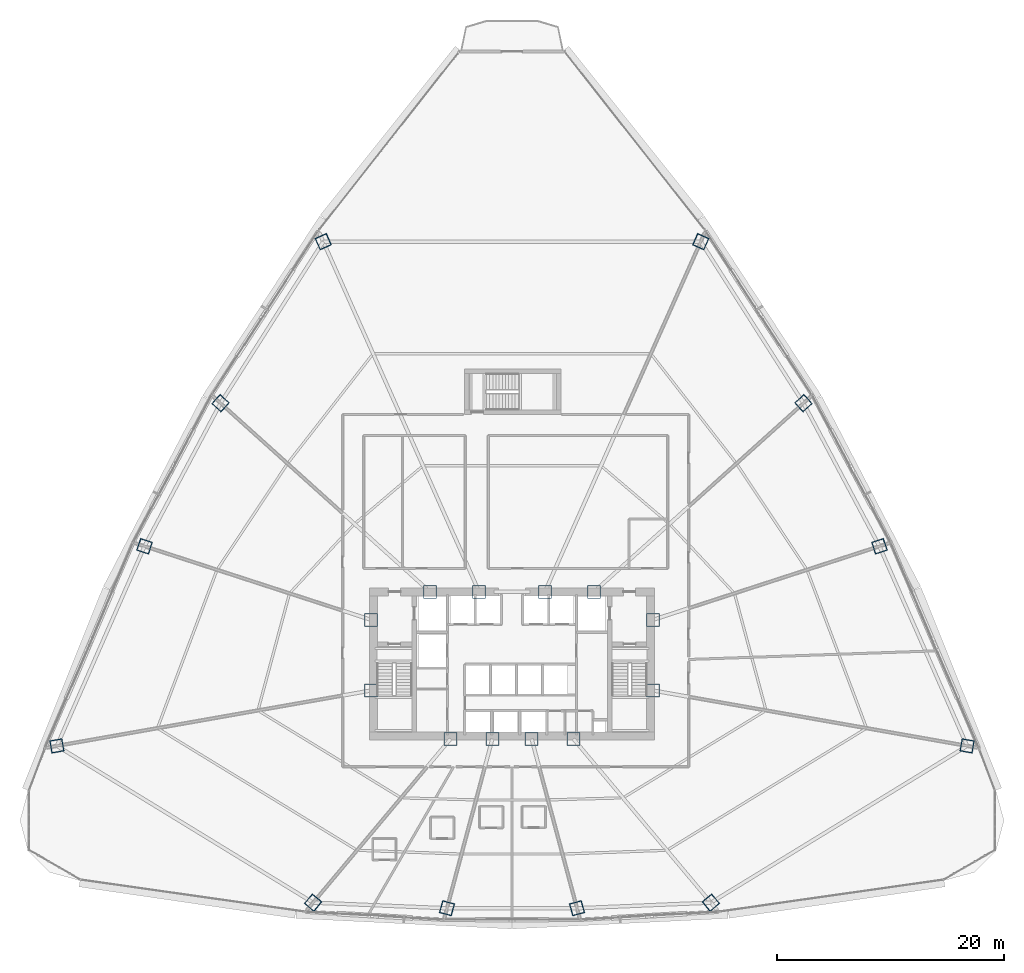
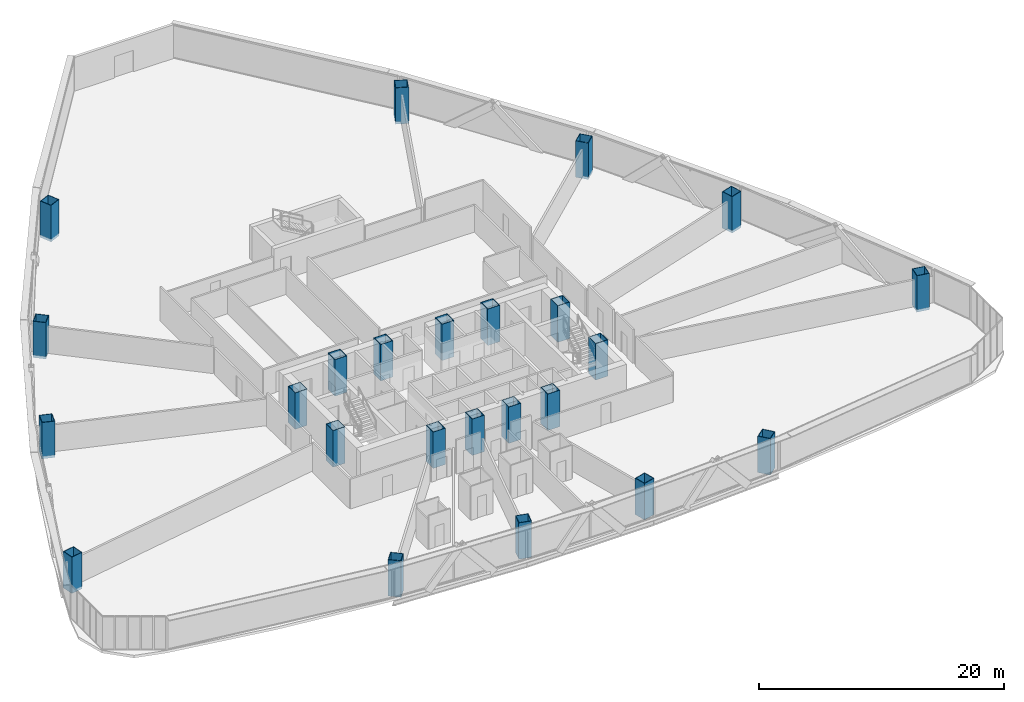
# One storey, part 1 of 40: 24 columns.
"""IFC4 building model written with IfcOpenShell, lengths in metres."""

from ifc_helpers import new_model, si_unit, direction, frame, origin, origin_2d, place, context, subcontext, project, spatial, hollow_rectangle, extrude, source, transform, mapped, material, material_profile, profile_set, type_object, element, save


model = new_model("IFC4")

# Units and contexts
model_context = context("Model", 3, precision=1e-05, world=origin(), true_north=direction((0.0, 1.0)))
body_context = subcontext(model_context, "Body", "Model", "MODEL_VIEW")
ifc_project = project(units=[si_unit("LENGTHUNIT", "METRE"), si_unit("AREAUNIT", "SQUARE_METRE"), si_unit("VOLUMEUNIT", "CUBIC_METRE"), si_unit("PLANEANGLEUNIT", "RADIAN"), si_unit("MASSUNIT", "GRAM", prefix="KILO"), si_unit("THERMODYNAMICTEMPERATUREUNIT", "KELVIN"), si_unit("POWERUNIT", "WATT")], contexts=[model_context])

# Site, building, storey
site_placement = place(None, origin())
site = spatial("IfcSite", under=ifc_project, at=site_placement, CompositionType="ELEMENT")
building_placement = place(site_placement, origin())
building = spatial("IfcBuilding", under=site, at=building_placement, Name="Yunzhuo Pagoda Commons", CompositionType="ELEMENT")
storey_placement = place(building_placement, frame((0.0, 0.0, 66.699951171875)))
storey = spatial("IfcBuildingStorey", under=building, at=storey_placement, Name="L17", CompositionType="ELEMENT", Elevation=66.699951171875)

# Columns
ifc_material = material(Name="Structural steel Q420B", Category="steel")
ifc_material_profile_1 = material_profile(ifc_material, hollow_rectangle(XDim=1.14990234375, YDim=1.14990234375, WallThickness=0.048095703125, at=origin_2d()), Name="Structural steel Q420B")
ifc_profile_set_1 = profile_set([ifc_material_profile_1], Name="Structural steel Q420B")
column_type_1 = type_object("IfcColumnType", Name="C-COR Column BOX 1150x1150x48", PredefinedType="COLUMN", material=ifc_profile_set_1)
shared_shape_1 = source(origin(), body_context, "Body", "SweptSolid", [
    extrude(hollow_rectangle(XDim=1.14990234375, YDim=1.14990234375, WallThickness=0.048095703125, at=origin_2d()), origin(), (0.0, 0.0, 1.0), 3.630126953125),
])
for number, where, z_axis, x_axis, name in (
    (1, (42.587890625, 27.25, -0.260009765625), (0.0, 0.0, 1.0), (1.0, 0.0, 0.0), "L17 core composite column F1C1"),
    (2, (46.27197265625, 27.25, -0.260009765625), (0.0, 0.0, 1.0), (1.0, 0.0, 0.0), "L17 core composite column F1C2"),
    (3, (49.728515625, 27.25, -0.260009765625), (0.0, 0.0, 1.0), (1.0, 0.0, 0.0), "L17 core composite column F1C3"),
    (4, (53.412109375, 27.25, -0.260009765625), (0.0, 0.0, 1.0), (1.0, 0.0, 0.0), "L17 core composite column F1C4"),
    (5, (60.39990234375, 31.513427734375, -0.260009765625), (0.0, 0.0, 1.0), (1.0, 0.0, 0.0), "L17 core composite column F2C1"),
    (6, (60.39990234375, 37.72900390625, -0.260009765625), (0.0, 0.0, 1.0), (1.0, 0.0, 0.0), "L17 core composite column F2C2"),
    (7, (55.218994140625, 40.199951171875, -0.260009765625), (0.0, 0.0, 1.0), (1.0, 0.0, 0.0), "L17 core composite column F2C3"),
    (8, (50.89404296875, 40.199951171875, -0.260009765625), (0.0, 0.0, 1.0), (1.0, 0.0, 0.0), "L17 core composite column F2C4"),
    (9, (45.10595703125, 40.199951171875, -0.260009765625), (0.0, 0.0, 1.0), (1.0, 0.0, 0.0), "L17 core composite column F3C1"),
    (10, (40.781005859375, 40.199951171875, -0.260009765625), (0.0, 0.0, 1.0), (1.0, 0.0, 0.0), "L17 core composite column F3C2"),
    (11, (35.60009765625, 37.72900390625, -0.260009765625), (0.0, 0.0, 1.0), (1.0, 0.0, 0.0), "L17 core composite column F3C3"),
    (12, (35.60009765625, 31.513427734375, -0.260009765625), (0.0, 0.0, 1.0), (1.0, 0.0, 0.0), "L17 core composite column F3C4"),
):
    element("IfcColumn", number, at=place(storey_placement, frame(where, z_axis=z_axis, x_axis=x_axis)), inside=storey, type_object=column_type_1, Name=name, PredefinedType="COLUMN", context=body_context, shape_type="MappedRepresentation", body=[
        mapped(shared_shape_1, transform((0.0, 0.0, 0.0), scale=1.0)),
    ])
ifc_material_profile_2 = material_profile(ifc_material, hollow_rectangle(XDim=1.10009765625, YDim=1.10009765625, WallThickness=0.044921875, at=origin_2d()), Name="Structural steel Q420B")
ifc_profile_set_2 = profile_set([ifc_material_profile_2], Name="Structural steel Q420B")
column_type_2 = type_object("IfcColumnType", Name="C-Z1 Column BOX 1100x1100x45", PredefinedType="COLUMN", material=ifc_profile_set_2)
shared_shape_2 = source(origin(), body_context, "Body", "SweptSolid", [
    extrude(hollow_rectangle(XDim=1.10009765625, YDim=1.10009765625, WallThickness=0.044921875, at=origin_2d()), origin(), (0.0, 0.0, 1.0), 3.630126953125),
])
for number, where, z_axis, x_axis, name in (
    (13, (30.5, 12.844482421875, -0.260009765625), (0.0, 0.0, 1.0), (0.766044443119, -0.642787609687, 0.0), "L17 tower column F1C1"),
    (14, (42.27978515625, 12.35205078125, -0.260009765625), (0.0, 0.0, 1.0), (0.965925826289, -0.258819045103, 0.0), "L17 tower column F1C2"),
    (15, (53.72021484375, 12.35205078125, -0.260009765625), (0.0, 0.0, 1.0), (0.965925826289, 0.258819045103, 0.0), "L17 tower column F1C3"),
    (16, (65.5, 12.844482421875, -0.260009765625), (0.0, 0.0, 1.0), (0.766044443119, 0.642787609687, 0.0), "L17 tower column F1C4"),
    (17, (88.047607421875, 26.638427734375, -0.260009765625), (0.0, 0.0, 1.0), (0.173648177667, 0.984807753012, 0.0), "L17 tower column F2C1"),
    (18, (80.33544921875, 44.206298828125, -0.260009765625), (0.0, 0.0, 1.0), (-0.309016994375, 0.951056516295, 0.0), "L17 tower column F2C2"),
    (19, (73.648681640625, 56.79443359375, -0.260009765625), (0.0, 0.0, 1.0), (-0.669130606359, 0.743144825477, 0.0), "L17 tower column F2C3"),
    (20, (64.61083984375, 71.008544921875, -0.260009765625), (0.0, 0.0, 1.0), (-0.913545457643, 0.406736643076, 0.0), "L17 tower column F2C4"),
    (21, (31.38916015625, 71.008544921875, -0.260009765625), (0.0, 0.0, 1.0), (-0.913545457643, -0.406736643076, 0.0), "L17 tower column F3C1"),
    (22, (22.351318359375, 56.79443359375, -0.260009765625), (0.0, 0.0, 1.0), (-0.669130606359, -0.743144825477, 0.0), "L17 tower column F3C2"),
    (23, (15.66455078125, 44.206298828125, -0.260009765625), (0.0, 0.0, 1.0), (-0.309016994375, -0.951056516295, 0.0), "L17 tower column F3C3"),
    (24, (7.952392578125, 26.638427734375, -0.260009765625), (0.0, 0.0, 1.0), (0.173648177667, -0.984807753012, 0.0), "L17 tower column F3C4"),
):
    element("IfcColumn", number, at=place(storey_placement, frame(where, z_axis=z_axis, x_axis=x_axis)), inside=storey, type_object=column_type_2, Name=name, PredefinedType="COLUMN", context=body_context, shape_type="MappedRepresentation", body=[
        mapped(shared_shape_2, transform((0.0, 0.0, 0.0), scale=1.0)),
    ])

save(model, "model.ifc")
